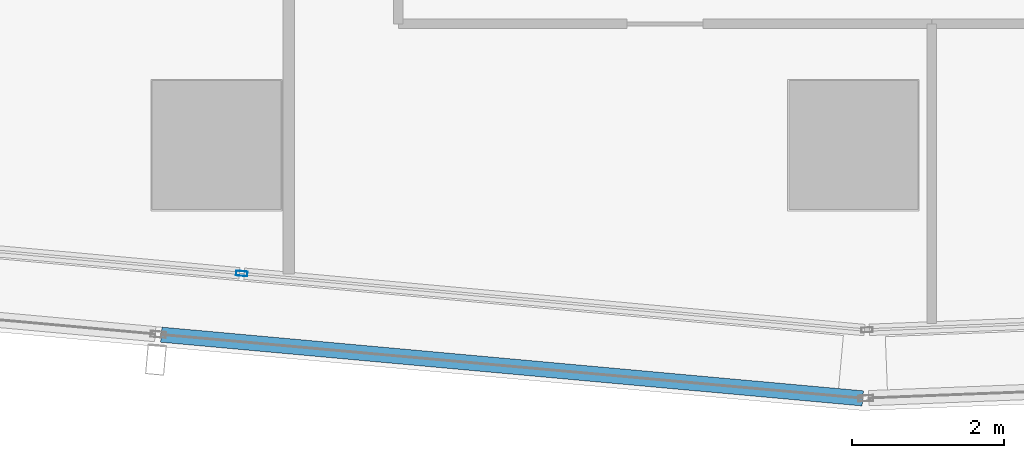
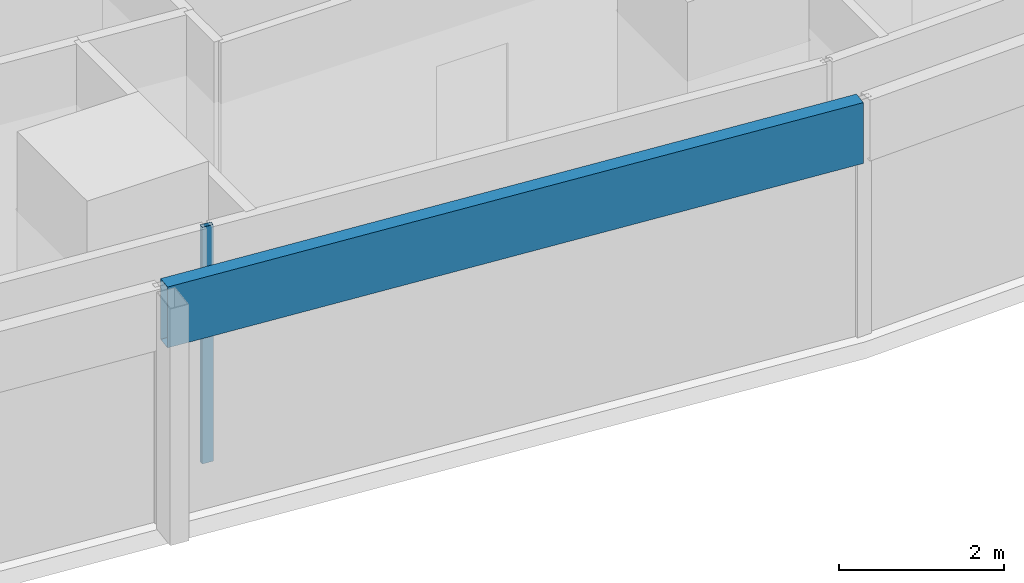
# One storey, part 3 of 40: 2 members, 2 elements without a shape of their own.
"""IFC4 building model written with IfcOpenShell, lengths in metres."""

from ifc_helpers import new_model, si_unit, direction, frame, origin, origin_2d, place, context, subcontext, project, spatial, hollow_rectangle, extrude, material, material_profile, profile_set, type_object, element, aggregate, save


model = new_model("IFC4")

# Units and contexts
model_context = context("Model", 3, precision=1e-05, world=origin(), true_north=direction((0.0, 1.0)))
body_context = subcontext(model_context, "Body", "Model", "MODEL_VIEW")
ifc_project = project(units=[si_unit("LENGTHUNIT", "METRE"), si_unit("AREAUNIT", "SQUARE_METRE"), si_unit("VOLUMEUNIT", "CUBIC_METRE"), si_unit("PLANEANGLEUNIT", "RADIAN"), si_unit("MASSUNIT", "GRAM", prefix="KILO")], contexts=[model_context])

# Site, building, storey
site_placement = place(None, origin())
site = spatial("IfcSite", under=ifc_project, at=site_placement, CompositionType="ELEMENT")
building_placement = place(site_placement, origin())
building = spatial("IfcBuilding", under=site, at=building_placement, Name="Rekha Terrace Tower", CompositionType="ELEMENT")
storey_placement = place(building_placement, frame((0.0, 0.0, 121.550048828125)))
storey = spatial("IfcBuildingStorey", under=building, at=storey_placement, Name="L30", CompositionType="ELEMENT", Elevation=121.550048828125)

# Curtain wall, member
ifc_material_1 = material(Name="Aluminium framing", Category="aluminium")
curtain_wall_type_1 = type_object("IfcCurtainWallType", Name="CW1 double skin inner glazing", PredefinedType="USERDEFINED", material=ifc_material_1)
curtain_wall_1_placement = place(storey_placement, origin())
curtain_wall_1 = element("IfcCurtainWall", 1, at=curtain_wall_1_placement, inside=storey, type_object=curtain_wall_type_1, Name="CW1 double skin inner glazing", ObjectType="DOUBLE SKIN INNER GLAZING", PredefinedType="USERDEFINED")
ifc_material_2 = material(Name="Aluminium mullion section", Category="aluminium")
ifc_material_profile_1 = material_profile(ifc_material_2, hollow_rectangle(XDim=0.06494140625, YDim=0.14990234375, WallThickness=0.00390625, at=origin_2d()), Name="AL RHS 65x150")
ifc_profile_set_1 = profile_set([ifc_material_profile_1], Name="Aluminium mullion section")
member_type_1 = type_object("IfcMemberType", Name="CW1 mullion RHS 65 x 150", PredefinedType="MULLION", material=ifc_profile_set_1)
member_1_placement = place(storey_placement, frame((17.13427734375, 15.107666015625, 0.0), z_axis=(0.0, 0.0, 1.0), x_axis=(0.090439811381, 0.995901923142, 0.0)))
member_1 = element("IfcMember", 2, at=member_1_placement, type_object=member_type_1, Name="CW1 mullion 2", PredefinedType="MULLION", context=body_context, shape_type="SweptSolid", body=[
    extrude(hollow_rectangle(XDim=0.06494140625, YDim=0.14990234375, WallThickness=0.00390625, at=origin_2d()), origin(), (0.0, 0.0, 1.0), 3.5),
])
aggregate(curtain_wall_1, [member_1])

curtain_wall_type_2 = type_object("IfcCurtainWallType", Name="CW2 double skin outer glazing", PredefinedType="USERDEFINED", material=ifc_material_1)
curtain_wall_2_placement = place(storey_placement, origin())
curtain_wall_2 = element("IfcCurtainWall", 3, at=curtain_wall_2_placement, inside=storey, type_object=curtain_wall_type_2, Name="CW2 double skin outer glazing", ObjectType="DOUBLE SKIN OUTER GLAZING", PredefinedType="USERDEFINED")
ifc_material_3 = material(Name="Insulated aluminium spandrel box", Category="aluminium")
ifc_material_profile_2 = material_profile(ifc_material_3, hollow_rectangle(XDim=0.199951171875, YDim=0.89990234375, WallThickness=0.0029296875, at=origin_2d()), Name="AL SPANDREL BOX 200x900")
ifc_profile_set_2 = profile_set([ifc_material_profile_2], Name="Insulated aluminium spandrel box")
member_type_2 = type_object("IfcMemberType", Name="CW2 spandrel transom 200 x 900", PredefinedType="USERDEFINED", material=ifc_profile_set_2)
member_2_placement = place(storey_placement, frame((16.072265625, 14.300537109375, 3.050048828125), z_axis=(0.995900527097, -0.090455182982, 0.0), x_axis=(0.090455182982, 0.995900527097, 0.0)))
member_2 = element("IfcMember", 4, at=member_2_placement, type_object=member_type_2, Name="CW2 spandrel transom 2", ObjectType="TRANSOM", PredefinedType="USERDEFINED", context=body_context, shape_type="SweptSolid", body=[
    extrude(hollow_rectangle(XDim=0.199951171875, YDim=0.89990234375, WallThickness=0.0029296875, at=origin_2d()), origin(), (0.0, 0.0, 1.0), 9.2900390625),
])
aggregate(curtain_wall_2, [member_2])

save(model, "model.ifc")
